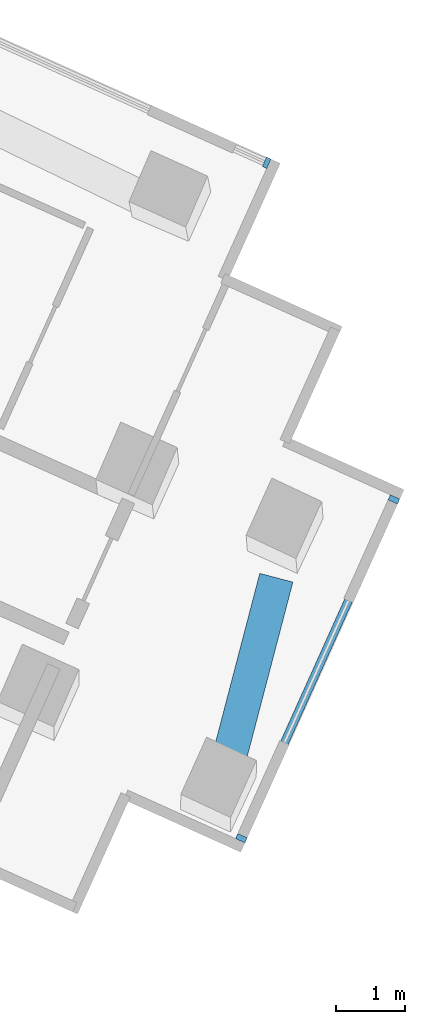
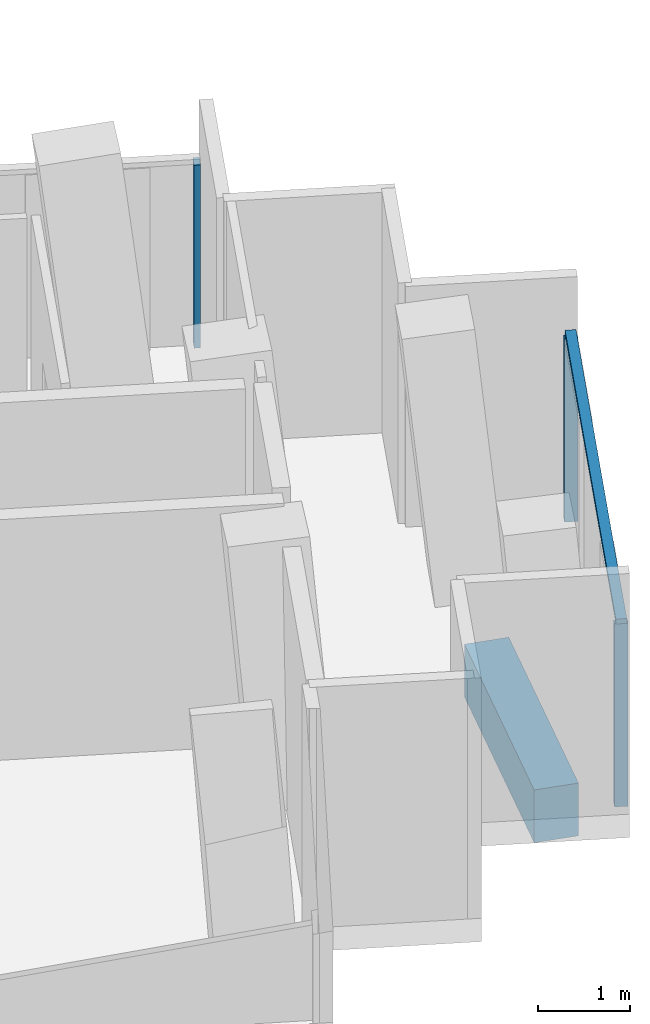
# One storey, part 11 of 26: 4 members, 1 beam, 2 elements without a shape of their own.
"""IFC4 building model written with IfcOpenShell, lengths in metres."""

from ifc_helpers import new_model, si_unit, direction, frame, origin, origin_2d, place, context, subcontext, project, spatial, rectangle, extrude, material, layer, layer_set, material_profile, profile_set, type_object, element, aggregate, save


model = new_model("IFC4")

# Units and contexts
model_context = context("Model", 3, precision=1e-05, world=origin(), true_north=direction((0.0, 1.0)))
body_context = subcontext(model_context, "Body", "Model", "MODEL_VIEW")
ifc_project = project(units=[si_unit("LENGTHUNIT", "METRE"), si_unit("AREAUNIT", "SQUARE_METRE"), si_unit("VOLUMEUNIT", "CUBIC_METRE"), si_unit("PLANEANGLEUNIT", "RADIAN"), si_unit("MASSUNIT", "GRAM", prefix="KILO")], contexts=[model_context])

# Site, building, storey
site_placement = place(None, origin())
site = spatial("IfcSite", under=ifc_project, at=site_placement, CompositionType="ELEMENT")
building_placement = place(site_placement, origin())
building = spatial("IfcBuilding", under=site, at=building_placement, Name="Verdalira Terraces Hotel", CompositionType="ELEMENT")
storey_placement = place(building_placement, frame((0.0, 0.0, 56.5)))
storey = spatial("IfcBuildingStorey", under=building, at=storey_placement, Name="L12", CompositionType="ELEMENT", Elevation=56.5)

# Curtain wall, member
ifc_material_1 = material(Name="Clear glass", Category="glass")
ifc_layer_1 = layer(ifc_material_1, 0.14990234375)
ifc_layer_set_1 = layer_set([ifc_layer_1], Name="CW2 curtain wall")
curtain_wall_type_1 = type_object("IfcCurtainWallType", Name="CW2 curtain wall", PredefinedType="NOTDEFINED", material=ifc_layer_set_1)
curtain_wall_1_placement = place(storey_placement, origin())
curtain_wall_1 = element("IfcCurtainWall", 1, at=curtain_wall_1_placement, inside=storey, type_object=curtain_wall_type_1, Name="CW2 curtain wall L12 edge 38", PredefinedType="NOTDEFINED")
ifc_material_2 = material(Name="Terracotta frame", Category="masonry")
ifc_material_profile_1 = material_profile(ifc_material_2, rectangle(XDim=0.070068, YDim=0.149902, at=origin_2d()), Name="MU 70x150")
ifc_profile_set_1 = profile_set([ifc_material_profile_1], Name="Terracotta frame")
member_type_1 = type_object("IfcMemberType", Name="CW2 mullion 70x150", PredefinedType="MULLION", material=ifc_profile_set_1)
member_1_placement = place(storey_placement, frame((33.954102, -8.241699, 0.0), z_axis=(0.0, 0.0, 1.0), x_axis=(-0.911833714, 0.410559714, 0.0)))
member_1 = element("IfcMember", 2, at=member_1_placement, type_object=member_type_1, Name="CW2 mullion", PredefinedType="MULLION", context=body_context, shape_type="SweptSolid", body=[
    extrude(rectangle(XDim=0.070068, YDim=0.149902, at=origin_2d()), origin(), (0.0, 0.0, 1.0), 2.425049),
])
aggregate(curtain_wall_1, [member_1])

# Curtain wall, members
ifc_material_3 = material(Name="Clear glass", Category="glass")
ifc_layer_2 = layer(ifc_material_3, 0.14990234375)
ifc_layer_set_2 = layer_set([ifc_layer_2], Name="CW3 curtain wall")
curtain_wall_type_2 = type_object("IfcCurtainWallType", Name="CW3 curtain wall", PredefinedType="NOTDEFINED", material=ifc_layer_set_2)
curtain_wall_2_placement = place(storey_placement, origin())
curtain_wall_2 = element("IfcCurtainWall", 3, at=curtain_wall_2_placement, inside=storey, type_object=curtain_wall_type_2, Name="CW3 curtain wall L12 edge 33", PredefinedType="NOTDEFINED")
ifc_material_4 = material(Name="Terracotta frame", Category="masonry")
ifc_material_profile_2 = material_profile(ifc_material_4, rectangle(XDim=0.080078, YDim=0.149902, at=origin_2d()), Name="MU 80x150")
ifc_profile_set_2 = profile_set([ifc_material_profile_2], Name="Terracotta frame")
member_type_2 = type_object("IfcMemberType", Name="CW3 mullion 80x150", PredefinedType="MULLION", material=ifc_profile_set_2)
member_2_placement = place(storey_placement, frame((33.586426, -18.094482, 0.0), z_axis=(0.0, 0.0, 1.0), x_axis=(0.410559714, 0.911833714, 0.0)))
member_2 = element("IfcMember", 4, at=member_2_placement, type_object=member_type_2, Name="CW3 mullion", PredefinedType="MULLION", context=body_context, shape_type="SweptSolid", body=[
    extrude(rectangle(XDim=0.080078, YDim=0.149902, at=origin_2d()), origin(), (0.0, 0.0, 1.0), 2.425049),
])
member_3_placement = place(storey_placement, frame((35.811768, -13.152344, 0.0), z_axis=(0.0, 0.0, 1.0), x_axis=(0.410559714, 0.911833714, 0.0)))
member_3 = element("IfcMember", 5, at=member_3_placement, type_object=member_type_2, Name="CW3 mullion", PredefinedType="MULLION", context=body_context, shape_type="SweptSolid", body=[
    extrude(rectangle(XDim=0.080078, YDim=0.149902, at=origin_2d()), origin(), (0.0, 0.0, 1.0), 2.425049),
])
ifc_material_5 = material(Name="Terracotta frame", Category="masonry")
ifc_material_profile_3 = material_profile(ifc_material_5, rectangle(XDim=0.120117, YDim=0.064941, at=origin_2d()), Name="TR 65x120")
ifc_profile_set_3 = profile_set([ifc_material_profile_3], Name="Terracotta frame")
member_type_3 = type_object("IfcMemberType", Name="CW3 transom 65x120", PredefinedType="USERDEFINED", material=ifc_profile_set_3)
member_4_placement = place(storey_placement, frame((33.570068, -18.131104, 2.45752), z_axis=(0.410552929, 0.911836768, 0.0), x_axis=(-0.911836768, 0.410552929, 0.0)))
member_4 = element("IfcMember", 6, at=member_4_placement, type_object=member_type_3, Name="CW3 transom", ObjectType="TRANSOM", PredefinedType="USERDEFINED", context=body_context, shape_type="SweptSolid", body=[
    extrude(rectangle(XDim=0.120117, YDim=0.064941, at=origin_2d()), origin(), (0.0, 0.0, 1.0), 5.5),
])
aggregate(curtain_wall_2, [member_2, member_3, member_4])

# Beam
ifc_material_6 = material(Name="Concrete C70", Category="concrete")
ifc_material_profile_4 = material_profile(ifc_material_6, rectangle(XDim=0.5, YDim=0.699951, at=origin_2d()), Name="RC 500X700")
ifc_profile_set_4 = profile_set([ifc_material_profile_4], Name="Concrete C70")
beam_type = type_object("IfcBeamType", Name="Spandrel beam RC 500X700 C70", PredefinedType="SPANDREL", material=ifc_profile_set_4)
beam_placement = place(storey_placement, frame((33.370361, -17.065918, -0.659912), z_axis=(0.253167624, 0.967422428, 0.0), x_axis=(-0.967422428, 0.253167624, 0.0)))
element("IfcBeam", 7, at=beam_placement, inside=storey, type_object=beam_type, Name="Spandrel beam B27", PredefinedType="SPANDREL", context=body_context, shape_type="SweptSolid", body=[
    extrude(rectangle(XDim=0.5, YDim=0.699951, at=origin_2d()), origin(), (0.0, 0.0, 1.0), 2.86499),
])

save(model, "model.ifc")
